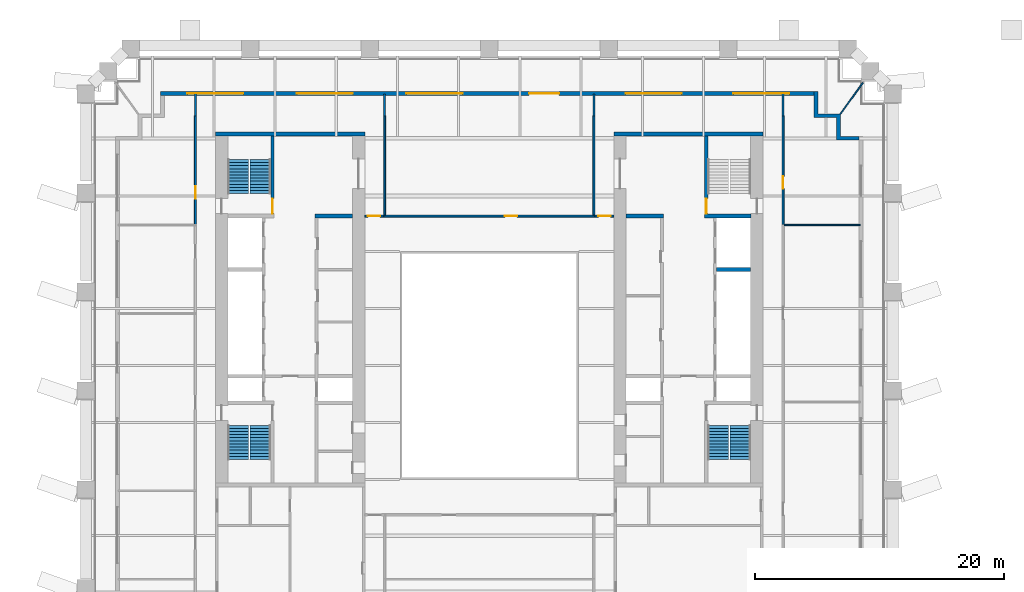
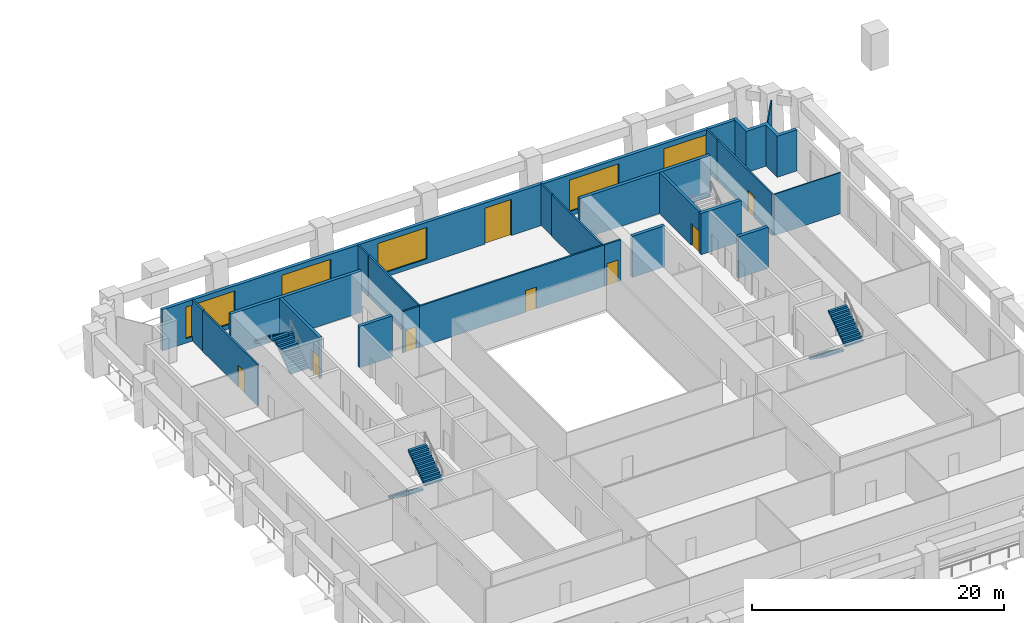
# One storey, part 7 of 10: 23 walls, 8 doors, 6 stair flights, 5 windows, 13 openings, 3 elements without a shape of their own.
"""IFC4 building model written with IfcOpenShell, lengths in metres."""

from ifc_helpers import new_model, si_unit, direction, frame, frame_2d, origin, place, context, subcontext, project, spatial, polyline, rectangle, outline, extrude, material, layer, layer_set, type_object, element, fill, aggregate, save


model = new_model("IFC4")

# Units and contexts
model_context = context("Model", 3, precision=1e-05, world=origin(), true_north=direction((0.0, 1.0)))
body_context = subcontext(model_context, "Body", "Model", "MODEL_VIEW")
ifc_project = project(units=[si_unit("LENGTHUNIT", "METRE"), si_unit("AREAUNIT", "SQUARE_METRE"), si_unit("VOLUMEUNIT", "CUBIC_METRE"), si_unit("PLANEANGLEUNIT", "RADIAN"), si_unit("MASSUNIT", "GRAM", prefix="KILO")], contexts=[model_context])

# Site, building, storey
site_placement = place(None, origin())
site = spatial("IfcSite", under=ifc_project, at=site_placement, CompositionType="ELEMENT")
building_placement = place(site_placement, origin())
building = spatial("IfcBuilding", under=site, at=building_placement, Name="Ogive Exchange Tower", CompositionType="ELEMENT")
storey_placement = place(building_placement, frame((0.0, 0.0, 43.800048828125)))
storey = spatial("IfcBuildingStorey", under=building, at=storey_placement, Name="L08", CompositionType="ELEMENT", Elevation=43.800048828125)

# Walls
ifc_material_1 = material(Name="Gypsum board partition")
ifc_layer_1 = layer(ifc_material_1, 0.300048828125)
ifc_layer_set_1 = layer_set([ifc_layer_1], Name="Core room partition 300 gypsum")
wall_type_1 = type_object("IfcWallType", Name="Core room partition 300 gypsum", PredefinedType="PARTITIONING", material=ifc_layer_set_1)
for number, where, z_axis, x_axis, name in (
    (1, (-14.0, 19.0, 0.0), (0.0, 0.0, 1.0), (1.0, 0.0, 0.0), "W row B room end wall 7"),
    (2, (11.0, 19.0, 0.0), (0.0, 0.0, 1.0), (1.0, 0.0, 0.0), "E row B room end wall 7"),
):
    element("IfcWall", number, at=place(storey_placement, frame(where, z_axis=z_axis, x_axis=x_axis)), inside=storey, type_object=wall_type_1, Name=name, PredefinedType="PARTITIONING", context=body_context, shape_type="SweptSolid", body=[
        extrude(rectangle(XDim=3.0, YDim=0.300048828125, at=frame_2d((1.5, 0.0))), origin(), (0.0, 0.0, 1.0), 4.0),
    ])

# Wall, opening, door
ifc_material_2 = material(Name="Fire partition EI 60 150")
ifc_layer_2 = layer(ifc_material_2, 0.14990234375)
ifc_layer_set_2 = layer_set([ifc_layer_2], Name="Fire partition EI 60 150")
wall_type_2 = type_object("IfcWallType", Name="Fire partition EI 60 150", PredefinedType="PARTITIONING", material=ifc_layer_set_2)
wall_1_placement = place(storey_placement, frame((-23.60009765625, 18.340087890625, 0.0), z_axis=(0.0, 0.0, 1.0), x_axis=(0.0, 1.0, 0.0)))
wall_1 = element("IfcWall", 3, at=wall_1_placement, inside=storey, type_object=wall_type_2, Name="L08-PWL-011", PredefinedType="PARTITIONING", context=body_context, shape_type="SweptSolid", body=[
    extrude(rectangle(XDim=8.7099609375, YDim=0.14990234375, at=frame_2d((4.35498046875, 0.0))), origin(), (0.0, 0.0, 1.0), 4.0),
])
opening_1_placement = place(wall_1_placement, frame((2.06005859375, 0.0, 0.0)))
opening_1 = element("IfcOpeningElement", 4, at=opening_1_placement, cuts=wall_1, Name="Opening L08-I09", PredefinedType="OPENING", context=body_context, shape_type="SweptSolid", body=[
    extrude(rectangle(XDim=1.0, YDim=2.10009765625, at=frame_2d((0.5, 1.050048828125))), frame((0.0, 0.0849609375, 0.0), z_axis=(0.0, -1.0, 0.0), x_axis=(1.0, 0.0, 0.0)), (0.0, 0.0, 1.0), 0.169921875),
])
ifc_material_3 = material(Name="Fire door FD 30S 1000 x 2100")
door_type_1 = type_object("IfcDoorType", Name="Fire door FD 30S 1000 x 2100", OperationType="NOTDEFINED", PredefinedType="DOOR", material=ifc_material_3)
door_1_placement = place(opening_1_placement, origin())
door_1 = element("IfcDoor", 5, at=door_1_placement, inside=storey, type_object=door_type_1, Name="L08-IDR-009", ObjectType="DT3", OperationType="SINGLE_SWING_RIGHT", OverallHeight=2.10009765625, OverallWidth=1.0, PredefinedType="DOOR", context=body_context, shape_type="SweptSolid", body=[
    extrude(rectangle(XDim=1.0, YDim=2.10009765625, at=frame_2d((0.5, 1.050048828125))), frame((0.0, 0.02490234375, 0.0), z_axis=(0.0, -1.0, 0.0), x_axis=(1.0, 0.0, 0.0)), (0.0, 0.0, 1.0), 0.050048828125),
])
fill(opening_1, door_1)

# Walls
for number, where, z_axis, x_axis, name in (
    (6, (-23.590087890625, 27.050048828125, 0.0), (0.0, 0.0, 1.0), (0.0, 1.0, 0.0), "L08-PWL-012"),
    (7, (-8.409912109375, 28.800048828125, 0.0), (0.0, 0.0, 1.0), (0.0, -1.0, 0.0), "L08-PWL-016"),
):
    element("IfcWall", number, at=place(storey_placement, frame(where, z_axis=z_axis, x_axis=x_axis)), inside=storey, type_object=wall_type_2, Name=name, PredefinedType="PARTITIONING", context=body_context, shape_type="SweptSolid", body=[
        extrude(rectangle(XDim=1.75, YDim=0.14990234375, at=frame_2d((0.875, 0.0))), origin(), (0.0, 0.0, 1.0), 4.0),
    ])

# Wall, opening, door
wall_2_placement = place(storey_placement, frame((-8.47509765625, 19.0, 0.0), z_axis=(0.0, 0.0, 1.0), x_axis=(1.0, 0.0, 0.0)))
wall_2 = element("IfcWall", 8, at=wall_2_placement, inside=storey, type_object=wall_type_2, Name="L08-PWL-020", PredefinedType="PARTITIONING", context=body_context, shape_type="SweptSolid", body=[
    extrude(rectangle(XDim=16.9501953125, YDim=0.14990234375, at=frame_2d((8.47509765625, 0.0))), origin(), (0.0, 0.0, 1.0), 4.0),
])
opening_2_placement = place(wall_2_placement, frame((9.72509765625, 0.0, 0.0)))
opening_2 = element("IfcOpeningElement", 9, at=opening_2_placement, cuts=wall_2, Name="Opening L08-I08", PredefinedType="OPENING", context=body_context, shape_type="SweptSolid", body=[
    extrude(rectangle(XDim=1.0, YDim=2.10009765625, at=frame_2d((0.5, 1.050048828125))), frame((0.0, 0.0849609375, 0.0), z_axis=(0.0, -1.0, 0.0), x_axis=(1.0, 0.0, 0.0)), (0.0, 0.0, 1.0), 0.169921875),
])
door_2_placement = place(opening_2_placement, origin())
door_2 = element("IfcDoor", 10, at=door_2_placement, inside=storey, type_object=door_type_1, Name="L08-IDR-008", ObjectType="DT3", OperationType="SINGLE_SWING_RIGHT", OverallHeight=2.10009765625, OverallWidth=1.0, PredefinedType="DOOR", context=body_context, shape_type="SweptSolid", body=[
    extrude(rectangle(XDim=1.0, YDim=2.10009765625, at=frame_2d((0.5, 1.050048828125))), frame((0.0, 0.02490234375, 0.0), z_axis=(0.0, -1.0, 0.0), x_axis=(1.0, 0.0, 0.0)), (0.0, 0.0, 1.0), 0.050048828125),
])
fill(opening_2, door_2)

# Walls
for number, where, z_axis, x_axis, name in (
    (11, (-8.39990234375, 27.050048828125, 0.0), (0.0, 0.0, 1.0), (0.0, -1.0, 0.0), "L08-PWL-021"),
    (12, (8.39990234375, 19.074951171875, 0.0), (0.0, 0.0, 1.0), (0.0, 1.0, 0.0), "L08-PWL-031"),
):
    element("IfcWall", number, at=place(storey_placement, frame(where, z_axis=z_axis, x_axis=x_axis)), inside=storey, type_object=wall_type_2, Name=name, PredefinedType="PARTITIONING", context=body_context, shape_type="SweptSolid", body=[
        extrude(rectangle(XDim=7.97509765625, YDim=0.14990234375, at=frame_2d((3.987548828125, 0.0))), origin(), (0.0, 0.0, 1.0), 4.0),
    ])
for number, where, z_axis, x_axis, name in (
    (13, (8.409912109375, 27.050048828125, 0.0), (0.0, 0.0, 1.0), (0.0, 1.0, 0.0), "L08-PWL-032"),
    (14, (23.590087890625, 28.800048828125, 0.0), (0.0, 0.0, 1.0), (0.0, -1.0, 0.0), "L08-PWL-036"),
):
    element("IfcWall", number, at=place(storey_placement, frame(where, z_axis=z_axis, x_axis=x_axis)), inside=storey, type_object=wall_type_2, Name=name, PredefinedType="PARTITIONING", context=body_context, shape_type="SweptSolid", body=[
        extrude(rectangle(XDim=1.75, YDim=0.14990234375, at=frame_2d((0.875, 0.0))), origin(), (0.0, 0.0, 1.0), 4.0),
    ])

# Wall, opening, door
wall_3_placement = place(storey_placement, frame((23.60009765625, 27.050048828125, 0.0), z_axis=(0.0, 0.0, 1.0), x_axis=(0.0, -1.0, 0.0)))
wall_3 = element("IfcWall", 15, at=wall_3_placement, inside=storey, type_object=wall_type_2, Name="L08-PWL-043", PredefinedType="PARTITIONING", context=body_context, shape_type="SweptSolid", body=[
    extrude(rectangle(XDim=8.7099609375, YDim=0.14990234375, at=frame_2d((4.35498046875, 0.0))), origin(), (0.0, 0.0, 1.0), 4.0),
])
opening_3_placement = place(wall_3_placement, frame((4.860107421875, 0.0, 0.0)))
opening_3 = element("IfcOpeningElement", 16, at=opening_3_placement, cuts=wall_3, Name="Opening L08-I07", PredefinedType="OPENING", context=body_context, shape_type="SweptSolid", body=[
    extrude(rectangle(XDim=1.0, YDim=2.10009765625, at=frame_2d((0.5, 1.050048828125))), frame((0.0, 0.0849609375, 0.0), z_axis=(0.0, -1.0, 0.0), x_axis=(1.0, 0.0, 0.0)), (0.0, 0.0, 1.0), 0.169921875),
])
door_3_placement = place(opening_3_placement, origin())
door_3 = element("IfcDoor", 17, at=door_3_placement, inside=storey, type_object=door_type_1, Name="L08-IDR-007", ObjectType="DT3", OperationType="SINGLE_SWING_LEFT", OverallHeight=2.10009765625, OverallWidth=1.0, PredefinedType="DOOR", context=body_context, shape_type="SweptSolid", body=[
    extrude(rectangle(XDim=1.0, YDim=2.10009765625, at=frame_2d((0.5, 1.050048828125))), frame((0.0, 0.02490234375, 0.0), z_axis=(0.0, -1.0, 0.0), x_axis=(1.0, 0.0, 0.0)), (0.0, 0.0, 1.0), 0.050048828125),
])
fill(opening_3, door_3)

wall_4_placement = place(storey_placement, frame((-10.0, 19.0, 0.0), z_axis=(0.0, 0.0, 1.0), x_axis=(1.0, 0.0, 0.0)))
wall_4 = element("IfcWall", 18, at=wall_4_placement, inside=storey, type_object=wall_type_2, Name="L08-PWL-047", PredefinedType="PARTITIONING", context=body_context, shape_type="SweptSolid", body=[
    extrude(rectangle(XDim=1.514892578125, YDim=0.14990234375, at=frame_2d((0.75732421875, 0.0))), origin(), (0.0, 0.0, 1.0), 4.0),
])
opening_4_placement = place(wall_4_placement, frame((0.258056640625, 0.0, 0.0)))
opening_4 = element("IfcOpeningElement", 19, at=opening_4_placement, cuts=wall_4, Name="Opening L08-I17", PredefinedType="OPENING", context=body_context, shape_type="SweptSolid", body=[
    extrude(rectangle(XDim=1.0, YDim=2.10009765625, at=frame_2d((0.5, 1.050048828125))), frame((0.0, 0.0849609375, 0.0), z_axis=(0.0, -1.0, 0.0), x_axis=(1.0, 0.0, 0.0)), (0.0, 0.0, 1.0), 0.169921875),
])
door_4_placement = place(opening_4_placement, origin())
door_4 = element("IfcDoor", 20, at=door_4_placement, inside=storey, type_object=door_type_1, Name="L08-IDR-017", ObjectType="DT3", OperationType="SINGLE_SWING_RIGHT", OverallHeight=2.10009765625, OverallWidth=1.0, PredefinedType="DOOR", context=body_context, shape_type="SweptSolid", body=[
    extrude(rectangle(XDim=1.0, YDim=2.10009765625, at=frame_2d((0.5, 1.050048828125))), frame((0.0, 0.02490234375, 0.0), z_axis=(0.0, -1.0, 0.0), x_axis=(1.0, 0.0, 0.0)), (0.0, 0.0, 1.0), 0.050048828125),
])
fill(opening_4, door_4)

wall_5_placement = place(storey_placement, frame((8.485107421875, 19.0, 0.0), z_axis=(0.0, 0.0, 1.0), x_axis=(1.0, 0.0, 0.0)))
wall_5 = element("IfcWall", 21, at=wall_5_placement, inside=storey, type_object=wall_type_2, Name="L08-PWL-049", PredefinedType="PARTITIONING", context=body_context, shape_type="SweptSolid", body=[
    extrude(rectangle(XDim=1.514892578125, YDim=0.14990234375, at=frame_2d((0.75732421875, 0.0))), origin(), (0.0, 0.0, 1.0), 4.0),
])
opening_5_placement = place(wall_5_placement, frame((0.258056640625, 0.0, 0.0)))
opening_5 = element("IfcOpeningElement", 22, at=opening_5_placement, cuts=wall_5, Name="Opening L08-I19", PredefinedType="OPENING", context=body_context, shape_type="SweptSolid", body=[
    extrude(rectangle(XDim=1.0, YDim=2.10009765625, at=frame_2d((0.5, 1.050048828125))), frame((0.0, 0.0849609375, 0.0), z_axis=(0.0, -1.0, 0.0), x_axis=(1.0, 0.0, 0.0)), (0.0, 0.0, 1.0), 0.169921875),
])
door_5_placement = place(opening_5_placement, origin())
door_5 = element("IfcDoor", 23, at=door_5_placement, inside=storey, type_object=door_type_1, Name="L08-IDR-019", ObjectType="DT3", OperationType="SINGLE_SWING_LEFT", OverallHeight=2.10009765625, OverallWidth=1.0, PredefinedType="DOOR", context=body_context, shape_type="SweptSolid", body=[
    extrude(rectangle(XDim=1.0, YDim=2.10009765625, at=frame_2d((0.5, 1.050048828125))), frame((0.0, 0.02490234375, 0.0), z_axis=(0.0, -1.0, 0.0), x_axis=(1.0, 0.0, 0.0)), (0.0, 0.0, 1.0), 0.050048828125),
])
fill(opening_5, door_5)

# Wall, openings, door, windows
ifc_material_4 = material(Name="Precast concrete C40/50", Category="concrete")
ifc_layer_3 = layer(ifc_material_4, 0.300048828125)
ifc_layer_set_3 = layer_set([ifc_layer_3], Name="Limestone-faced wall 300")
wall_type_3 = type_object("IfcWallType", Name="Limestone-faced wall 300", PredefinedType="STANDARD", material=ifc_layer_set_3)
wall_6_placement = place(storey_placement, frame((26.10009765625, 28.85009765625, 0.0), z_axis=(0.0, 0.0, 1.0), x_axis=(-1.0, 0.0, 0.0)))
wall_6 = element("IfcWall", 24, at=wall_6_placement, inside=storey, type_object=wall_type_3, Name="External wall N3", PredefinedType="STANDARD", context=body_context, shape_type="SweptSolid", body=[
    extrude(rectangle(XDim=52.5, YDim=0.300048828125, at=frame_2d((26.25, 0.0))), origin(), (0.0, 0.0, 1.0), 4.0),
])
opening_6_placement = place(wall_6_placement, frame((2.0, 0.0, 0.449951171875)))
opening_6 = element("IfcOpeningElement", 25, at=opening_6_placement, cuts=wall_6, Name="Opening W1", PredefinedType="OPENING", context=body_context, shape_type="SweptSolid", body=[
    extrude(rectangle(XDim=4.5, YDim=3.050048828125, at=frame_2d((2.25, 1.52490234375))), frame((0.0, 0.159912109375, 0.0), z_axis=(0.0, -1.0, 0.0), x_axis=(1.0, 0.0, 0.0)), (0.0, 0.0, 1.0), 0.320068359375),
])
opening_7_placement = place(wall_6_placement, frame((10.64990234375, 0.0, 0.449951171875)))
opening_7 = element("IfcOpeningElement", 26, at=opening_7_placement, cuts=wall_6, Name="Opening W1", PredefinedType="OPENING", context=body_context, shape_type="SweptSolid", body=[
    extrude(rectangle(XDim=4.5, YDim=3.050048828125, at=frame_2d((2.25, 1.52490234375))), frame((0.0, 0.159912109375, 0.0), z_axis=(0.0, -1.0, 0.0), x_axis=(1.0, 0.0, 0.0)), (0.0, 0.0, 1.0), 0.320068359375),
])
opening_8_placement = place(wall_6_placement, frame((20.5, 0.0, 0.0)))
opening_8 = element("IfcOpeningElement", 27, at=opening_8_placement, cuts=wall_6, Name="Opening D1", PredefinedType="OPENING", context=body_context, shape_type="SweptSolid", body=[
    extrude(rectangle(XDim=2.39990234375, YDim=3.5, at=frame_2d((1.199951171875, 1.75))), frame((0.0, 0.159912109375, 0.0), z_axis=(0.0, -1.0, 0.0), x_axis=(1.0, 0.0, 0.0)), (0.0, 0.0, 1.0), 0.320068359375),
])
opening_9_placement = place(wall_6_placement, frame((28.25, 0.0, 0.449951171875)))
opening_9 = element("IfcOpeningElement", 28, at=opening_9_placement, cuts=wall_6, Name="Opening W1", PredefinedType="OPENING", context=body_context, shape_type="SweptSolid", body=[
    extrude(rectangle(XDim=4.5, YDim=3.050048828125, at=frame_2d((2.25, 1.52490234375))), frame((0.0, 0.159912109375, 0.0), z_axis=(0.0, -1.0, 0.0), x_axis=(1.0, 0.0, 0.0)), (0.0, 0.0, 1.0), 0.320068359375),
])
opening_10_placement = place(wall_6_placement, frame((37.050048828125, 0.0, 0.449951171875)))
opening_10 = element("IfcOpeningElement", 29, at=opening_10_placement, cuts=wall_6, Name="Opening W1", PredefinedType="OPENING", context=body_context, shape_type="SweptSolid", body=[
    extrude(rectangle(XDim=4.5, YDim=3.050048828125, at=frame_2d((2.25, 1.52490234375))), frame((0.0, 0.159912109375, 0.0), z_axis=(0.0, -1.0, 0.0), x_axis=(1.0, 0.0, 0.0)), (0.0, 0.0, 1.0), 0.320068359375),
])
opening_11_placement = place(wall_6_placement, frame((45.85009765625, 0.0, 0.449951171875)))
opening_11 = element("IfcOpeningElement", 30, at=opening_11_placement, cuts=wall_6, Name="Opening W1", PredefinedType="OPENING", context=body_context, shape_type="SweptSolid", body=[
    extrude(rectangle(XDim=4.5, YDim=3.050048828125, at=frame_2d((2.25, 1.52490234375))), frame((0.0, 0.159912109375, 0.0), z_axis=(0.0, -1.0, 0.0), x_axis=(1.0, 0.0, 0.0)), (0.0, 0.0, 1.0), 0.320068359375),
])
ifc_material_5 = material(Name="Clear glass in bronze frame", Category="glass")
door_type_2 = type_object("IfcDoorType", Name="Sliding loggia door 2400 x 3500", OperationType="DOUBLE_DOOR_SLIDING", PredefinedType="DOOR", material=ifc_material_5)
door_6_placement = place(opening_8_placement, origin())
door_6 = element("IfcDoor", 31, at=door_6_placement, inside=storey, type_object=door_type_2, Name="Loggia door N02", OperationType="DOUBLE_DOOR_SLIDING", OverallHeight=3.5, OverallWidth=2.39990234375, PredefinedType="DOOR", context=body_context, shape_type="SweptSolid", body=[
    extrude(rectangle(XDim=2.39990234375, YDim=3.5, at=frame_2d((1.199951171875, 1.75))), frame((0.0, 0.02490234375, 0.0), z_axis=(0.0, -1.0, 0.0), x_axis=(1.0, 0.0, 0.0)), (0.0, 0.0, 1.0), 0.050048828125),
])
fill(opening_8, door_6)
window_type = type_object("IfcWindowType", Name="Twin lancet window 4500 x 3050", PartitioningType="DOUBLE_PANEL_VERTICAL", PredefinedType="WINDOW", material=ifc_material_5)
window_1_placement = place(opening_6_placement, origin())
window_1 = element("IfcWindow", 32, at=window_1_placement, inside=storey, type_object=window_type, Name="Window N00", OverallHeight=3.050048828125, OverallWidth=4.5, PartitioningType="DOUBLE_PANEL_VERTICAL", PredefinedType="WINDOW", context=body_context, shape_type="SweptSolid", body=[
    extrude(rectangle(XDim=4.5, YDim=3.050048828125, at=frame_2d((2.25, 1.52490234375))), frame((0.0, 0.030029296875, 0.0), z_axis=(0.0, -1.0, 0.0), x_axis=(1.0, 0.0, 0.0)), (0.0, 0.0, 1.0), 0.06005859375),
])
fill(opening_6, window_1)
window_2_placement = place(opening_7_placement, origin())
window_2 = element("IfcWindow", 33, at=window_2_placement, inside=storey, type_object=window_type, Name="Window N01", OverallHeight=3.050048828125, OverallWidth=4.5, PartitioningType="DOUBLE_PANEL_VERTICAL", PredefinedType="WINDOW", context=body_context, shape_type="SweptSolid", body=[
    extrude(rectangle(XDim=4.5, YDim=3.050048828125, at=frame_2d((2.25, 1.52490234375))), frame((0.0, 0.030029296875, 0.0), z_axis=(0.0, -1.0, 0.0), x_axis=(1.0, 0.0, 0.0)), (0.0, 0.0, 1.0), 0.06005859375),
])
fill(opening_7, window_2)
window_3_placement = place(opening_9_placement, origin())
window_3 = element("IfcWindow", 34, at=window_3_placement, inside=storey, type_object=window_type, Name="Window N03", OverallHeight=3.050048828125, OverallWidth=4.5, PartitioningType="DOUBLE_PANEL_VERTICAL", PredefinedType="WINDOW", context=body_context, shape_type="SweptSolid", body=[
    extrude(rectangle(XDim=4.5, YDim=3.050048828125, at=frame_2d((2.25, 1.52490234375))), frame((0.0, 0.030029296875, 0.0), z_axis=(0.0, -1.0, 0.0), x_axis=(1.0, 0.0, 0.0)), (0.0, 0.0, 1.0), 0.06005859375),
])
fill(opening_9, window_3)
window_4_placement = place(opening_10_placement, origin())
window_4 = element("IfcWindow", 35, at=window_4_placement, inside=storey, type_object=window_type, Name="Window N04", OverallHeight=3.050048828125, OverallWidth=4.5, PartitioningType="DOUBLE_PANEL_VERTICAL", PredefinedType="WINDOW", context=body_context, shape_type="SweptSolid", body=[
    extrude(rectangle(XDim=4.5, YDim=3.050048828125, at=frame_2d((2.25, 1.52490234375))), frame((0.0, 0.030029296875, 0.0), z_axis=(0.0, -1.0, 0.0), x_axis=(1.0, 0.0, 0.0)), (0.0, 0.0, 1.0), 0.06005859375),
])
fill(opening_10, window_4)
window_5_placement = place(opening_11_placement, origin())
window_5 = element("IfcWindow", 36, at=window_5_placement, inside=storey, type_object=window_type, Name="Window N05", OverallHeight=3.050048828125, OverallWidth=4.5, PartitioningType="DOUBLE_PANEL_VERTICAL", PredefinedType="WINDOW", context=body_context, shape_type="SweptSolid", body=[
    extrude(rectangle(XDim=4.5, YDim=3.050048828125, at=frame_2d((2.25, 1.52490234375))), frame((0.0, 0.030029296875, 0.0), z_axis=(0.0, -1.0, 0.0), x_axis=(1.0, 0.0, 0.0)), (0.0, 0.0, 1.0), 0.06005859375),
])
fill(opening_11, window_5)

# Walls
wall_7_placement = place(storey_placement, origin())
element("IfcWall", 37, at=wall_7_placement, inside=storey, type_object=wall_type_3, Name="External corner wall C2", PredefinedType="STANDARD", context=body_context, shape_type="SweptSolid", body=[
    extrude(outline(polyline([(27.89990234375, 26.89990234375), (26.10009765625, 26.89990234375), (26.10009765625, 29.0), (26.39990234375, 29.0), (26.39990234375, 27.199951171875), (28.199951171875, 27.199951171875), (28.199951171875, 25.39990234375), (29.699951171875, 25.39990234375), (29.699951171875, 25.10009765625), (27.89990234375, 25.10009765625), (27.89990234375, 26.89990234375)])), origin(), (0.0, 0.0, 1.0), 4.0),
])
ifc_material_6 = material(Name="Laminated safety glass in steel frame", Category="steel")
ifc_layer_4 = layer(ifc_material_6, 0.10009765625)
ifc_layer_set_4 = layer_set([ifc_layer_4], Name="Loggia end screen 100")
wall_type_4 = type_object("IfcWallType", Name="Loggia end screen 100", PredefinedType="STANDARD", material=ifc_layer_set_4)
wall_8_placement = place(storey_placement, frame((28.199951171875, 27.199951171875, -0.050048828125), z_axis=(0.0, 0.0, 1.0), x_axis=(0.585017780353, 0.811020466246, 0.0)))
element("IfcWall", 38, at=wall_8_placement, inside=storey, type_object=wall_type_4, Name="Loggia end screen C2", PredefinedType="STANDARD", context=body_context, shape_type="SweptSolid", body=[
    extrude(rectangle(XDim=3.0927734375, YDim=0.10009765625, at=frame_2d((1.54638671875, 0.0))), origin(), (0.0, 0.0, 1.0), 4.050048828125),
])
ifc_material_7 = material(Name="Partition 100 gypsum")
ifc_layer_5 = layer(ifc_material_7, 0.10009765625)
ifc_layer_set_5 = layer_set([ifc_layer_5], Name="Partition 100 gypsum")
wall_type_5 = type_object("IfcWallType", Name="Partition 100 gypsum", PredefinedType="PARTITIONING", material=ifc_layer_set_5)
wall_9_placement = place(storey_placement, frame((23.675048828125, 18.2900390625, 0.0), z_axis=(0.0, 0.0, 1.0), x_axis=(1.0, 0.0, 0.0)))
element("IfcWall", 39, at=wall_9_placement, inside=storey, type_object=wall_type_5, Name="L08-PWL-042", PredefinedType="PARTITIONING", context=body_context, shape_type="SweptSolid", body=[
    extrude(rectangle(XDim=6.125, YDim=0.10009765625, at=frame_2d((3.0625, 0.0))), origin(), (0.0, 0.0, 1.0), 4.0),
])

# Wall, opening, door
ifc_material_8 = material(Name="Concrete C70/85", Category="concrete")
ifc_layer_6 = layer(ifc_material_8, 0.25)
ifc_layer_set_6 = layer_set([ifc_layer_6], Name="RC core wall 250 C70/85")
wall_type_6 = type_object("IfcWallType", Name="RC core wall 250 C70/85", PredefinedType="SHEAR", material=ifc_layer_set_6)
wall_10_placement = place(storey_placement, frame((-17.425048828125, 19.14990234375, 0.0), z_axis=(0.0, 0.0, 1.0), x_axis=(0.0, 1.0, 0.0)))
wall_10 = element("IfcWall", 40, at=wall_10_placement, inside=storey, type_object=wall_type_6, Name="W stair N front wall", PredefinedType="SHEAR", context=body_context, shape_type="SweptSolid", body=[
    extrude(rectangle(XDim=6.300048828125, YDim=0.25, at=frame_2d((3.14990234375, 0.0))), origin(), (0.0, 0.0, 1.0), 4.0),
])
opening_12_placement = place(wall_10_placement, frame((0.050048828125, 0.0, 0.0)))
opening_12 = element("IfcOpeningElement", 41, at=opening_12_placement, cuts=wall_10, Name="Opening L08-C16", PredefinedType="OPENING", context=body_context, shape_type="SweptSolid", body=[
    extrude(rectangle(XDim=1.199951171875, YDim=2.10009765625, at=frame_2d((0.60009765625, 1.050048828125))), frame((0.0, 0.135009765625, 0.0), z_axis=(0.0, -1.0, 0.0), x_axis=(1.0, 0.0, 0.0)), (0.0, 0.0, 1.0), 0.27001953125),
])
ifc_material_9 = material(Name="Steel fire door", Category="steel")
door_type_3 = type_object("IfcDoorType", Name="Stair door FD90 1200 x 2100", OperationType="NOTDEFINED", PredefinedType="DOOR", material=ifc_material_9)
door_7_placement = place(opening_12_placement, origin())
door_7 = element("IfcDoor", 42, at=door_7_placement, inside=storey, type_object=door_type_3, Name="Stair door", ObjectType="CD5", OperationType="SINGLE_SWING_RIGHT", OverallHeight=2.10009765625, OverallWidth=1.199951171875, PredefinedType="DOOR", context=body_context, shape_type="SweptSolid", body=[
    extrude(rectangle(XDim=1.199951171875, YDim=2.10009765625, at=frame_2d((0.60009765625, 1.050048828125))), frame((0.0, 0.02490234375, 0.0), z_axis=(0.0, -1.0, 0.0), x_axis=(1.0, 0.0, 0.0)), (0.0, 0.0, 1.0), 0.050048828125),
])
fill(opening_12, door_7)

wall_11_placement = place(storey_placement, frame((17.425048828125, 19.14990234375, 0.0), z_axis=(0.0, 0.0, 1.0), x_axis=(0.0, 1.0, 0.0)))
wall_11 = element("IfcWall", 43, at=wall_11_placement, inside=storey, type_object=wall_type_6, Name="E stair N front wall", PredefinedType="SHEAR", context=body_context, shape_type="SweptSolid", body=[
    extrude(rectangle(XDim=6.300048828125, YDim=0.25, at=frame_2d((3.14990234375, 0.0))), origin(), (0.0, 0.0, 1.0), 4.0),
])
opening_13_placement = place(wall_11_placement, frame((0.050048828125, 0.0, 0.0)))
opening_13 = element("IfcOpeningElement", 44, at=opening_13_placement, cuts=wall_11, Name="Opening L08-C38", PredefinedType="OPENING", context=body_context, shape_type="SweptSolid", body=[
    extrude(rectangle(XDim=1.199951171875, YDim=2.10009765625, at=frame_2d((0.60009765625, 1.050048828125))), frame((0.0, 0.135009765625, 0.0), z_axis=(0.0, -1.0, 0.0), x_axis=(1.0, 0.0, 0.0)), (0.0, 0.0, 1.0), 0.27001953125),
])
door_8_placement = place(opening_13_placement, frame((1.199951171875, 0.0, 0.0), z_axis=(0.0, 0.0, 1.0), x_axis=(-1.0, 0.0, 0.0)))
door_8 = element("IfcDoor", 45, at=door_8_placement, inside=storey, type_object=door_type_3, Name="Stair door", ObjectType="CD5", OperationType="SINGLE_SWING_LEFT", OverallHeight=2.10009765625, OverallWidth=1.199951171875, PredefinedType="DOOR", context=body_context, shape_type="SweptSolid", body=[
    extrude(rectangle(XDim=1.199951171875, YDim=2.10009765625, at=frame_2d((0.60009765625, 1.050048828125))), frame((0.0, 0.02490234375, 0.0), z_axis=(0.0, -1.0, 0.0), x_axis=(1.0, 0.0, 0.0)), (0.0, 0.0, 1.0), 0.050048828125),
])
fill(opening_13, door_8)

# Walls
ifc_layer_7 = layer(ifc_material_8, 0.300048828125)
ifc_layer_set_7 = layer_set([ifc_layer_7], Name="RC core wall 300 C70/85")
wall_type_7 = type_object("IfcWallType", Name="RC core wall 300 C70/85", PredefinedType="SHEAR", material=ifc_layer_set_7)
for number, where, z_axis, x_axis, name in (
    (46, (-22.0, 25.60009765625, 0.0), (0.0, 0.0, 1.0), (1.0, 0.0, 0.0), "W north end wall"),
    (47, (10.0, 25.60009765625, 0.0), (0.0, 0.0, 1.0), (1.0, 0.0, 0.0), "E north end wall"),
):
    element("IfcWall", number, at=place(storey_placement, frame(where, z_axis=z_axis, x_axis=x_axis)), inside=storey, type_object=wall_type_7, Name=name, PredefinedType="SHEAR", context=body_context, shape_type="SweptSolid", body=[
        extrude(rectangle(XDim=12.0, YDim=0.300048828125, at=frame_2d((6.0, 0.0))), origin(), (0.0, 0.0, 1.0), 4.0),
    ])
wall_12_placement = place(storey_placement, frame((17.300048828125, 19.0, 0.0), z_axis=(0.0, 0.0, 1.0), x_axis=(1.0, 0.0, 0.0)))
element("IfcWall", 48, at=wall_12_placement, inside=storey, type_object=wall_type_7, Name="E stair N south wall", PredefinedType="SHEAR", context=body_context, shape_type="SweptSolid", body=[
    extrude(rectangle(XDim=3.699951171875, YDim=0.300048828125, at=frame_2d((1.85009765625, 0.0))), origin(), (0.0, 0.0, 1.0), 4.0),
])
wall_13_placement = place(storey_placement, frame((18.25, 14.71435546875, 0.0), z_axis=(0.0, 0.0, 1.0), x_axis=(1.0, 0.0, 0.0)))
element("IfcWall", 49, at=wall_13_placement, inside=storey, type_object=wall_type_7, Name="E row A divider 5", PredefinedType="SHEAR", context=body_context, shape_type="SweptSolid", body=[
    extrude(rectangle(XDim=2.75, YDim=0.300048828125, at=frame_2d((1.375, 0.0))), origin(), (0.0, 0.0, 1.0), 4.0),
])

# Stair, stair flights
ifc_material_10 = material(Name="Concrete C40/50", Category="concrete")
stair_type = type_object("IfcStairType", Name="Exit stair 1650 wide", PredefinedType="HALF_TURN_STAIR", material=ifc_material_10)
stair_1_placement = place(storey_placement, origin())
stair_1 = element("IfcStair", 50, at=stair_1_placement, inside=storey, type_object=stair_type, Name="L08 exit stair ST1", PredefinedType="HALF_TURN_STAIR")
stair_flight_type = type_object("IfcStairFlightType", Name="Stair flight 1650 wide", PredefinedType="STRAIGHT", material=ifc_material_10)
stair_flight_1_placement = place(storey_placement, frame((-20.175048828125, 2.199951171875, 0.0), z_axis=(0.0, 0.0, 1.0), x_axis=(0.0, -1.0, 0.0)))
stair_flight_1 = element("IfcStairFlight", 51, at=stair_flight_1_placement, type_object=stair_flight_type, Name="ST1 flight 1", NumberOfRisers=12, NumberOfTreads=11, PredefinedType="STRAIGHT", RiserHeight=0.175, TreadLength=0.25, context=body_context, shape_type="SweptSolid", body=[
    extrude(outline(polyline([(0.0, 0.0), (0.0, 0.175048828125), (0.25, 0.175048828125), (0.25, 0.35009765625), (0.5, 0.35009765625), (0.5, 0.52490234375), (0.75, 0.52490234375), (0.75, 0.699951171875), (1.0, 0.699951171875), (1.0, 0.875), (1.25, 0.875), (1.25, 1.050048828125), (1.5, 1.050048828125), (1.5, 1.22509765625), (1.75, 1.22509765625), (1.75, 1.39990234375), (2.0, 1.39990234375), (2.0, 1.574951171875), (2.25, 1.574951171875), (2.25, 1.75), (2.5, 1.75), (2.5, 1.925048828125), (2.75, 1.925048828125), (2.75, 2.10009765625), (2.75, 1.741943359375), (0.261474609375, 0.0), (0.0, 0.0)])), frame((0.0, 0.824951171875, 0.0), z_axis=(0.0, -1.0, 0.0), x_axis=(1.0, 0.0, 0.0)), (0.0, 0.0, 1.0), 1.64990234375),
])
stair_flight_2_placement = place(storey_placement, frame((-18.375, -0.550048828125, 2.099853515625), z_axis=(0.0, 0.0, 1.0), x_axis=(0.0, 1.0, 0.0)))
stair_flight_2 = element("IfcStairFlight", 52, at=stair_flight_2_placement, type_object=stair_flight_type, Name="ST1 flight 2", NumberOfRisers=12, NumberOfTreads=11, PredefinedType="STRAIGHT", RiserHeight=0.175, TreadLength=0.25, context=body_context, shape_type="SweptSolid", body=[
    extrude(outline(polyline([(0.0, 0.0), (0.0, 0.175048828125), (0.25, 0.175048828125), (0.25, 0.35009765625), (0.5, 0.35009765625), (0.5, 0.52490234375), (0.75, 0.52490234375), (0.75, 0.699951171875), (1.0, 0.699951171875), (1.0, 0.875), (1.25, 0.875), (1.25, 1.050048828125), (1.5, 1.050048828125), (1.5, 1.22509765625), (1.75, 1.22509765625), (1.75, 1.39990234375), (2.0, 1.39990234375), (2.0, 1.574951171875), (2.25, 1.574951171875), (2.25, 1.75), (2.5, 1.75), (2.5, 1.925048828125), (2.75, 1.925048828125), (2.75, 2.10009765625), (2.75, 1.741943359375), (0.261474609375, 0.0), (0.0, 0.0)])), frame((0.0, 0.824951171875, 0.0), z_axis=(0.0, -1.0, 0.0), x_axis=(1.0, 0.0, 0.0)), (0.0, 0.0, 1.0), 1.64990234375),
])
aggregate(stair_1, [stair_flight_1, stair_flight_2])

stair_2_placement = place(storey_placement, origin())
stair_2 = element("IfcStair", 53, at=stair_2_placement, inside=storey, type_object=stair_type, Name="L08 exit stair ST2", PredefinedType="HALF_TURN_STAIR")
stair_flight_3_placement = place(storey_placement, frame((-18.375, 20.800048828125, 0.0), z_axis=(0.0, 0.0, 1.0), x_axis=(0.0, 1.0, 0.0)))
stair_flight_3 = element("IfcStairFlight", 54, at=stair_flight_3_placement, type_object=stair_flight_type, Name="ST2 flight 1", NumberOfRisers=12, NumberOfTreads=11, PredefinedType="STRAIGHT", RiserHeight=0.175, TreadLength=0.25, context=body_context, shape_type="SweptSolid", body=[
    extrude(outline(polyline([(0.0, 0.0), (0.0, 0.175048828125), (0.25, 0.175048828125), (0.25, 0.35009765625), (0.5, 0.35009765625), (0.5, 0.52490234375), (0.75, 0.52490234375), (0.75, 0.699951171875), (1.0, 0.699951171875), (1.0, 0.875), (1.25, 0.875), (1.25, 1.050048828125), (1.5, 1.050048828125), (1.5, 1.22509765625), (1.75, 1.22509765625), (1.75, 1.39990234375), (2.0, 1.39990234375), (2.0, 1.574951171875), (2.25, 1.574951171875), (2.25, 1.75), (2.5, 1.75), (2.5, 1.925048828125), (2.75, 1.925048828125), (2.75, 2.10009765625), (2.75, 1.741943359375), (0.261474609375, 0.0), (0.0, 0.0)])), frame((0.0, 0.824951171875, 0.0), z_axis=(0.0, -1.0, 0.0), x_axis=(1.0, 0.0, 0.0)), (0.0, 0.0, 1.0), 1.64990234375),
])
stair_flight_4_placement = place(storey_placement, frame((-20.175048828125, 23.550048828125, 2.099853515625), z_axis=(0.0, 0.0, 1.0), x_axis=(0.0, -1.0, 0.0)))
stair_flight_4 = element("IfcStairFlight", 55, at=stair_flight_4_placement, type_object=stair_flight_type, Name="ST2 flight 2", NumberOfRisers=12, NumberOfTreads=11, PredefinedType="STRAIGHT", RiserHeight=0.175, TreadLength=0.25, context=body_context, shape_type="SweptSolid", body=[
    extrude(outline(polyline([(0.0, 0.0), (0.0, 0.175048828125), (0.25, 0.175048828125), (0.25, 0.35009765625), (0.5, 0.35009765625), (0.5, 0.52490234375), (0.75, 0.52490234375), (0.75, 0.699951171875), (1.0, 0.699951171875), (1.0, 0.875), (1.25, 0.875), (1.25, 1.050048828125), (1.5, 1.050048828125), (1.5, 1.22509765625), (1.75, 1.22509765625), (1.75, 1.39990234375), (2.0, 1.39990234375), (2.0, 1.574951171875), (2.25, 1.574951171875), (2.25, 1.75), (2.5, 1.75), (2.5, 1.925048828125), (2.75, 1.925048828125), (2.75, 2.10009765625), (2.75, 1.741943359375), (0.261474609375, 0.0), (0.0, 0.0)])), frame((0.0, 0.824951171875, 0.0), z_axis=(0.0, -1.0, 0.0), x_axis=(1.0, 0.0, 0.0)), (0.0, 0.0, 1.0), 1.64990234375),
])
aggregate(stair_2, [stair_flight_3, stair_flight_4])

stair_3_placement = place(storey_placement, origin())
stair_3 = element("IfcStair", 56, at=stair_3_placement, inside=storey, type_object=stair_type, Name="L08 exit stair ST3", PredefinedType="HALF_TURN_STAIR")
stair_flight_5_placement = place(storey_placement, frame((18.375, 2.199951171875, 0.0), z_axis=(0.0, 0.0, 1.0), x_axis=(0.0, -1.0, 0.0)))
stair_flight_5 = element("IfcStairFlight", 57, at=stair_flight_5_placement, type_object=stair_flight_type, Name="ST3 flight 1", NumberOfRisers=12, NumberOfTreads=11, PredefinedType="STRAIGHT", RiserHeight=0.175, TreadLength=0.25, context=body_context, shape_type="SweptSolid", body=[
    extrude(outline(polyline([(0.0, 0.0), (0.0, 0.175048828125), (0.25, 0.175048828125), (0.25, 0.35009765625), (0.5, 0.35009765625), (0.5, 0.52490234375), (0.75, 0.52490234375), (0.75, 0.699951171875), (1.0, 0.699951171875), (1.0, 0.875), (1.25, 0.875), (1.25, 1.050048828125), (1.5, 1.050048828125), (1.5, 1.22509765625), (1.75, 1.22509765625), (1.75, 1.39990234375), (2.0, 1.39990234375), (2.0, 1.574951171875), (2.25, 1.574951171875), (2.25, 1.75), (2.5, 1.75), (2.5, 1.925048828125), (2.75, 1.925048828125), (2.75, 2.10009765625), (2.75, 1.741943359375), (0.261474609375, 0.0), (0.0, 0.0)])), frame((0.0, 0.824951171875, 0.0), z_axis=(0.0, -1.0, 0.0), x_axis=(1.0, 0.0, 0.0)), (0.0, 0.0, 1.0), 1.64990234375),
])
stair_flight_6_placement = place(storey_placement, frame((20.175048828125, -0.550048828125, 2.099853515625), z_axis=(0.0, 0.0, 1.0), x_axis=(0.0, 1.0, 0.0)))
stair_flight_6 = element("IfcStairFlight", 58, at=stair_flight_6_placement, type_object=stair_flight_type, Name="ST3 flight 2", NumberOfRisers=12, NumberOfTreads=11, PredefinedType="STRAIGHT", RiserHeight=0.175, TreadLength=0.25, context=body_context, shape_type="SweptSolid", body=[
    extrude(outline(polyline([(0.0, 0.0), (0.0, 0.175048828125), (0.25, 0.175048828125), (0.25, 0.35009765625), (0.5, 0.35009765625), (0.5, 0.52490234375), (0.75, 0.52490234375), (0.75, 0.699951171875), (1.0, 0.699951171875), (1.0, 0.875), (1.25, 0.875), (1.25, 1.050048828125), (1.5, 1.050048828125), (1.5, 1.22509765625), (1.75, 1.22509765625), (1.75, 1.39990234375), (2.0, 1.39990234375), (2.0, 1.574951171875), (2.25, 1.574951171875), (2.25, 1.75), (2.5, 1.75), (2.5, 1.925048828125), (2.75, 1.925048828125), (2.75, 2.10009765625), (2.75, 1.741943359375), (0.261474609375, 0.0), (0.0, 0.0)])), frame((0.0, 0.824951171875, 0.0), z_axis=(0.0, -1.0, 0.0), x_axis=(1.0, 0.0, 0.0)), (0.0, 0.0, 1.0), 1.64990234375),
])
aggregate(stair_3, [stair_flight_5, stair_flight_6])

save(model, "model.ifc")
